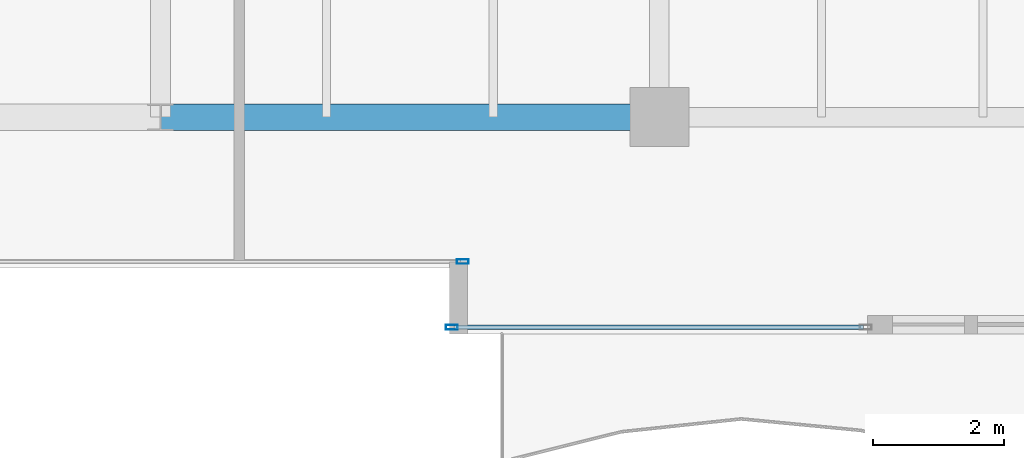
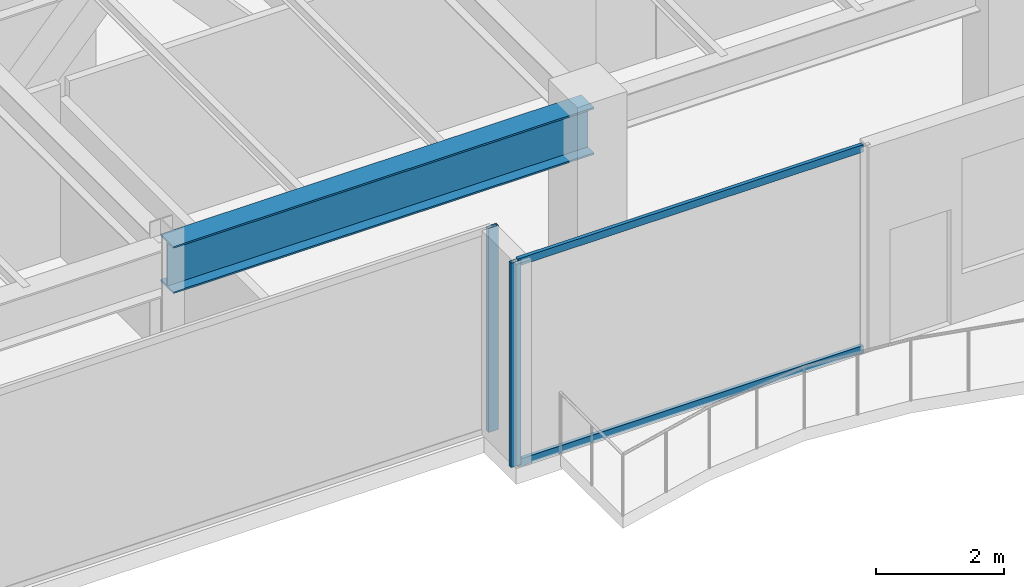
# One storey, part 10 of 31: 4 members, 1 beam, 2 elements without a shape of their own.
"""IFC4 building model written with IfcOpenShell, lengths in metres."""

from ifc_helpers import new_model, si_unit, direction, frame, origin, origin_2d, place, context, subcontext, project, spatial, hollow_rectangle, i_section, extrude, source, transform, mapped, material, layer, layer_set, material_profile, profile_set, type_object, type_shapes, element, aggregate, save


model = new_model("IFC4")

# Units and contexts
model_context = context("Model", 3, precision=1e-05, world=origin(), true_north=direction((0.0, 1.0)))
body_context = subcontext(model_context, "Body", "Model", "MODEL_VIEW")
ifc_project = project(units=[si_unit("LENGTHUNIT", "METRE"), si_unit("AREAUNIT", "SQUARE_METRE"), si_unit("VOLUMEUNIT", "CUBIC_METRE"), si_unit("PLANEANGLEUNIT", "RADIAN"), si_unit("MASSUNIT", "GRAM", prefix="KILO")], contexts=[model_context])

# Site, building, storey
site_placement = place(None, origin())
site = spatial("IfcSite", under=ifc_project, at=site_placement, CompositionType="ELEMENT")
building_placement = place(site_placement, origin())
building = spatial("IfcBuilding", under=site, at=building_placement, Name="Haelvirn Gate Laboratories", CompositionType="ELEMENT")
storey_placement = place(building_placement, frame((0.0, 0.0, 310.199951171875)))
storey = spatial("IfcBuildingStorey", under=building, at=storey_placement, Name="L74", CompositionType="ELEMENT", Elevation=310.199951171875)

# Beam
ifc_material_1 = material(Name="Steel SM420", Category="steel")
ifc_material_profile_1 = material_profile(ifc_material_1, i_section(OverallWidth=0.39990234375, OverallDepth=0.89990234375, WebThickness=0.01904296875, FlangeThickness=0.031982421875, at=origin_2d()), Name="H-900x400x19x32")
ifc_profile_set_1 = profile_set([ifc_material_profile_1], Name="Steel SM420")
beam_type = type_object("IfcBeamType", Name="BM-TG-900", PredefinedType="BEAM", material=ifc_profile_set_1)
shared_shape_1 = source(origin(), body_context, "Body", "SweptSolid", [
    extrude(i_section(OverallWidth=0.39990234375, OverallDepth=0.89990234375, WebThickness=0.01904296875, FlangeThickness=0.031982421875, at=origin_2d()), origin(), (0.0, 0.0, 1.0), 7.60009765625),
])
type_shapes(beam_type, [shared_shape_1])
beam_placement = place(storey_placement, frame((45.0, 7.0, 3.449951171875), z_axis=(1.0, 0.0, 0.0), x_axis=(0.0, 1.0, 0.0)))
element("IfcBeam", 1, at=beam_placement, inside=storey, type_object=beam_type, Name="L74 Primary Girder Y7.0 (45.0-52.6)", PredefinedType="BEAM", context=body_context, shape_type="MappedRepresentation", body=[
    mapped(shared_shape_1, transform((0.0, 0.0, 0.0), scale=1.0)),
])

# Curtain wall, member
ifc_material_2 = material(Name="Anodised bronze unitised aluminium & triple low-E glass", Category="aluminium")
ifc_layer = layer(ifc_material_2, 0.176025390625, Name="CW-SYS-4")
ifc_layer_set = layer_set([ifc_layer], Name="Anodised bronze unitised aluminium & triple low-E glass")
curtain_wall_type = type_object("IfcCurtainWallType", Name="CW-SYS-4", PredefinedType="NOTDEFINED", material=ifc_layer_set)
curtain_wall_1_placement = place(storey_placement, origin())
curtain_wall_1 = element("IfcCurtainWall", 2, at=curtain_wall_1_placement, inside=storey, type_object=curtain_wall_type, Name="L74 Unitised Curtain Wall CW-L74-P0-E02-1", PredefinedType="NOTDEFINED")
ifc_material_3 = material(Name="Extruded aluminium 6063-T6 (anodised bronze)", Category="aluminium")
ifc_material_profile_2 = material_profile(ifc_material_3, hollow_rectangle(XDim=0.070068359375, YDim=0.179931640625, WallThickness=0.0048828125, at=origin_2d()), Name="CWM-180x70x5")
ifc_profile_set_2 = profile_set([ifc_material_profile_2], Name="Extruded aluminium 6063-T6 (anodised bronze)")
member_type_1 = type_object("IfcMemberType", Name="CWM-T180", PredefinedType="MULLION", material=ifc_profile_set_2)
shared_shape_2 = source(origin(), body_context, "Body", "SweptSolid", [
    extrude(hollow_rectangle(XDim=0.070068359375, YDim=0.179931640625, WallThickness=0.0048828125, at=origin_2d()), origin(), (0.0, 0.0, 1.0), 3.900146484375),
])
type_shapes(member_type_1, [shared_shape_2])
member_1_placement = place(storey_placement, frame((49.60498046875, 4.800048828125, 0.0), z_axis=(0.0, 0.0, 1.0), x_axis=(0.0, 1.0, 0.0)))
member_1 = element("IfcMember", 3, at=member_1_placement, type_object=member_type_1, Name="CW4 mullion 3", PredefinedType="MULLION", context=body_context, shape_type="MappedRepresentation", body=[
    mapped(shared_shape_2, transform((0.0, 0.0, 0.0), scale=1.0)),
])
aggregate(curtain_wall_1, [member_1])

# Curtain wall, members
curtain_wall_2_placement = place(storey_placement, origin())
curtain_wall_2 = element("IfcCurtainWall", 4, at=curtain_wall_2_placement, inside=storey, type_object=curtain_wall_type, Name="L74 Unitised Curtain Wall CW-L74-P0-E04-1", PredefinedType="NOTDEFINED")
member_2_placement = place(storey_placement, frame((49.43505859375, 3.800048828125, 0.0), z_axis=(0.0, 0.0, 1.0), x_axis=(0.0, 1.0, 0.0)))
member_2 = element("IfcMember", 5, at=member_2_placement, type_object=member_type_1, Name="CW4 mullion 1", PredefinedType="MULLION", context=body_context, shape_type="MappedRepresentation", body=[
    mapped(shared_shape_2, transform((0.0, 0.0, 0.0), scale=1.0)),
])
ifc_material_profile_3 = material_profile(ifc_material_3, hollow_rectangle(XDim=0.06494140625, YDim=0.139892578125, WallThickness=0.00390625, at=origin_2d()), Name="CWT-140x65x4")
ifc_profile_set_3 = profile_set([ifc_material_profile_3], Name="Extruded aluminium 6063-T6 (anodised bronze)")
member_type_2 = type_object("IfcMemberType", Name="CWT-T140", PredefinedType="USERDEFINED", material=ifc_profile_set_3)
shared_shape_3 = source(origin(), body_context, "Body", "SweptSolid", [
    extrude(hollow_rectangle(XDim=0.06494140625, YDim=0.139892578125, WallThickness=0.00390625, at=origin_2d()), origin(), (0.0, 0.0, 1.0), 6.239990234375),
])
type_shapes(member_type_2, [shared_shape_3])
member_3_placement = place(storey_placement, frame((49.469970703125, 3.800048828125, 0.032470703125), z_axis=(1.0, 0.0, 0.0), x_axis=(0.0, 1.0, 0.0)))
member_3 = element("IfcMember", 6, at=member_3_placement, type_object=member_type_2, Name="CW4 transom 1.1", ObjectType="TRANSOM", PredefinedType="USERDEFINED", context=body_context, shape_type="MappedRepresentation", body=[
    mapped(shared_shape_3, transform((0.0, 0.0, 0.0), scale=1.0)),
])
member_4_placement = place(storey_placement, frame((49.469970703125, 3.800048828125, 3.867431640625), z_axis=(1.0, 0.0, 0.0), x_axis=(0.0, 1.0, 0.0)))
member_4 = element("IfcMember", 7, at=member_4_placement, type_object=member_type_2, Name="CW4 transom 1.2", ObjectType="TRANSOM", PredefinedType="USERDEFINED", context=body_context, shape_type="MappedRepresentation", body=[
    mapped(shared_shape_3, transform((0.0, 0.0, 0.0), scale=1.0)),
])
aggregate(curtain_wall_2, [member_2, member_3, member_4])

save(model, "model.ifc")
